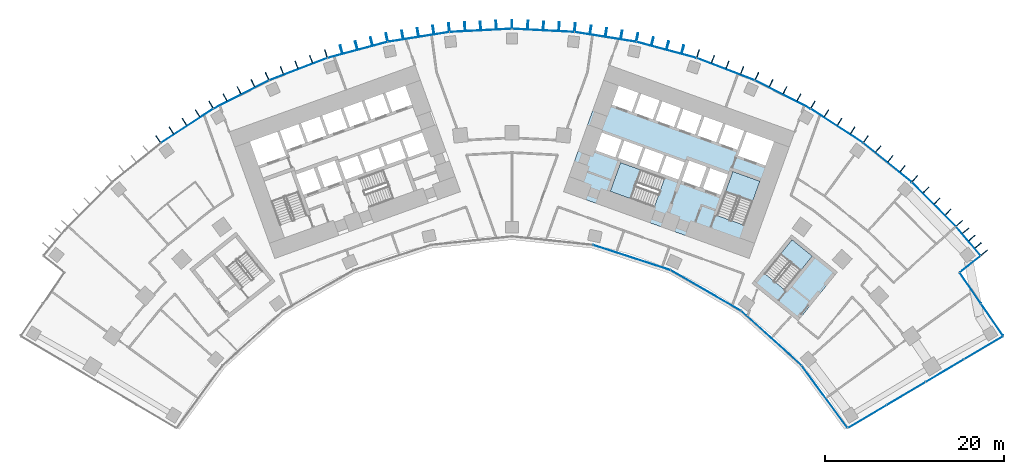
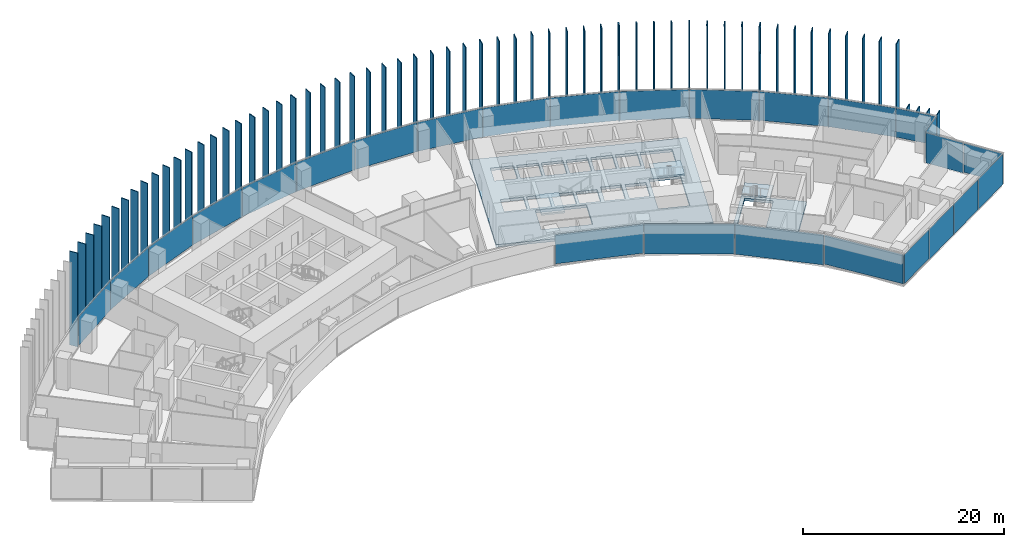
# One storey, part 16 of 24: 87 plates, 5 slabs, 8 elements without a shape of their own.
"""IFC4 building model written with IfcOpenShell, lengths in metres."""

from ifc_helpers import new_model, si_unit, direction, frame, origin, origin_2d, place, context, subcontext, project, spatial, polyline, rectangle, outline, extrude, material, layer, layer_set, type_object, element, aggregate, save


model = new_model("IFC4")

# Units and contexts
model_context = context("Model", 3, precision=1e-05, world=origin(), true_north=direction((0.0, 1.0)))
body_context = subcontext(model_context, "Body", "Model", "MODEL_VIEW")
ifc_project = project(units=[si_unit("LENGTHUNIT", "METRE"), si_unit("AREAUNIT", "SQUARE_METRE"), si_unit("VOLUMEUNIT", "CUBIC_METRE"), si_unit("PLANEANGLEUNIT", "RADIAN"), si_unit("MASSUNIT", "GRAM", prefix="KILO")], contexts=[model_context])

# Site, building, storey
site_placement = place(None, origin())
site = spatial("IfcSite", under=ifc_project, at=site_placement, CompositionType="ELEMENT")
building_placement = place(site_placement, origin())
building = spatial("IfcBuilding", under=site, at=building_placement, Name="Stone Belt Terrace Tower", CompositionType="ELEMENT")
storey_placement = place(building_placement, frame((0.0, 0.0, 41.39990234375)))
storey = spatial("IfcBuildingStorey", under=building, at=storey_placement, Name="L09", CompositionType="ELEMENT", Elevation=41.39990234375)

# Curtain wall, plates
ifc_material_1 = material(Name="Aluminium 6063-T6 anodised frame", Category="aluminium")
ifc_layer_1 = layer(ifc_material_1, 0.14990234375)
ifc_layer_set_1 = layer_set([ifc_layer_1], Name="CW-A unitised convex-face curtain wall")
curtain_wall_type_1 = type_object("IfcCurtainWallType", Name="CW-A unitised convex-face curtain wall", PredefinedType="NOTDEFINED", material=ifc_layer_set_1)
curtain_wall_1_placement = place(storey_placement, origin())
curtain_wall_1 = element("IfcCurtainWall", 1, at=curtain_wall_1_placement, inside=storey, type_object=curtain_wall_type_1, Name="CW-A convex face L09", PredefinedType="NOTDEFINED")
ifc_material_2 = material(Name="Clear double glazed unit")
ifc_layer_2 = layer(ifc_material_2, 0.031982421875)
ifc_layer_set_2 = layer_set([ifc_layer_2], Name="CW-A glass panel 32")
plate_type_1 = type_object("IfcPlateType", Name="CW-A glass panel 32", PredefinedType="CURTAIN_PANEL", material=ifc_layer_set_2)
plate_1_placement = place(storey_placement, frame((50.84423828125, 42.92626953125, 0.14013671875), z_axis=(0.0, 0.0, 1.0), x_axis=(-0.645291395384, 0.763936525533, 0.0)))
plate_1 = element("IfcPlate", 2, at=plate_1_placement, type_object=plate_type_1, Name="CW-A panel 1.1", PredefinedType="CURTAIN_PANEL", context=body_context, shape_type="SweptSolid", body=[
    extrude(rectangle(XDim=4.17919921875, YDim=0.031982421875, at=origin_2d()), origin(), (0.0, 0.0, 1.0), 3.52001953125),
])
plate_2_placement = place(storey_placement, frame((47.01123046875, 47.01123046875, 0.14013671875), z_axis=(0.0, 0.0, 1.0), x_axis=(-0.707106781187, 0.707106781187, 0.0)))
plate_2 = element("IfcPlate", 3, at=plate_2_placement, type_object=plate_type_1, Name="CW-A panel 2.1", PredefinedType="CURTAIN_PANEL", context=body_context, shape_type="SweptSolid", body=[
    extrude(rectangle(XDim=6.90087890625, YDim=0.031982421875, at=origin_2d()), origin(), (0.0, 0.0, 1.0), 3.52001953125),
])
plate_3_placement = place(storey_placement, frame((41.839599609375, 51.667724609375, 0.14013671875), z_axis=(0.0, 0.0, 1.0), x_axis=(-0.777145961457, 0.62932039105, 0.0)))
plate_3 = element("IfcPlate", 4, at=plate_3_placement, type_object=plate_type_1, Name="CW-A panel 3.1", PredefinedType="CURTAIN_PANEL", context=body_context, shape_type="SweptSolid", body=[
    extrude(rectangle(XDim=6.90087890625, YDim=0.031982421875, at=origin_2d()), origin(), (0.0, 0.0, 1.0), 3.52001953125),
])
plate_4_placement = place(storey_placement, frame((36.209716796875, 55.758056640625, 0.14013671875), z_axis=(0.0, 0.0, 1.0), x_axis=(-0.838670567945, 0.544639035015, 0.0)))
plate_4 = element("IfcPlate", 5, at=plate_4_placement, type_object=plate_type_1, Name="CW-A panel 4.1", PredefinedType="CURTAIN_PANEL", context=body_context, shape_type="SweptSolid", body=[
    extrude(rectangle(XDim=6.90087890625, YDim=0.031982421875, at=origin_2d()), origin(), (0.0, 0.0, 1.0), 3.52001953125),
])
plate_5_placement = place(storey_placement, frame((30.18310546875, 59.237548828125, 0.14013671875), z_axis=(0.0, 0.0, 1.0), x_axis=(-0.891006524188, 0.45399049974, 0.0)))
plate_5 = element("IfcPlate", 6, at=plate_5_placement, type_object=plate_type_1, Name="CW-A panel 5.1", PredefinedType="CURTAIN_PANEL", context=body_context, shape_type="SweptSolid", body=[
    extrude(rectangle(XDim=6.90087890625, YDim=0.031982421875, at=origin_2d()), origin(), (0.0, 0.0, 1.0), 3.52001953125),
])
plate_6_placement = place(storey_placement, frame((23.82568359375, 62.068115234375, 0.14013671875), z_axis=(0.0, 0.0, 1.0), x_axis=(-0.933580426497, 0.358367949545, 0.0)))
plate_6 = element("IfcPlate", 7, at=plate_6_placement, type_object=plate_type_1, Name="CW-A panel 6.1", PredefinedType="CURTAIN_PANEL", context=body_context, shape_type="SweptSolid", body=[
    extrude(rectangle(XDim=6.90087890625, YDim=0.031982421875, at=origin_2d()), origin(), (0.0, 0.0, 1.0), 3.52001953125),
])
plate_7_placement = place(storey_placement, frame((17.207275390625, 64.218505859375, 0.14013671875), z_axis=(0.0, 0.0, 1.0), x_axis=(-0.965925826289, 0.258819045103, 0.0)))
plate_7 = element("IfcPlate", 8, at=plate_7_placement, type_object=plate_type_1, Name="CW-A panel 7.1", PredefinedType="CURTAIN_PANEL", context=body_context, shape_type="SweptSolid", body=[
    extrude(rectangle(XDim=6.90087890625, YDim=0.031982421875, at=origin_2d()), origin(), (0.0, 0.0, 1.0), 3.52001953125),
])
plate_8_placement = place(storey_placement, frame((10.400390625, 65.665283203125, 0.14013671875), z_axis=(0.0, 0.0, 1.0), x_axis=(-0.987688340595, 0.15643446504, 0.0)))
plate_8 = element("IfcPlate", 9, at=plate_8_placement, type_object=plate_type_1, Name="CW-A panel 8.1", PredefinedType="CURTAIN_PANEL", context=body_context, shape_type="SweptSolid", body=[
    extrude(rectangle(XDim=6.90087890625, YDim=0.031982421875, at=origin_2d()), origin(), (0.0, 0.0, 1.0), 3.52001953125),
])
plate_9_placement = place(storey_placement, frame((3.4794921875, 66.392822265625, 0.14013671875), z_axis=(0.0, 0.0, 1.0), x_axis=(-0.998629534755, 0.052335956243, 0.0)))
plate_9 = element("IfcPlate", 10, at=plate_9_placement, type_object=plate_type_1, Name="CW-A panel 9.1", PredefinedType="CURTAIN_PANEL", context=body_context, shape_type="SweptSolid", body=[
    extrude(rectangle(XDim=6.90087890625, YDim=0.031982421875, at=origin_2d()), origin(), (0.0, 0.0, 1.0), 3.52001953125),
])
plate_10_placement = place(storey_placement, frame((-3.4794921875, 66.392822265625, 0.14013671875), z_axis=(0.0, 0.0, 1.0), x_axis=(-0.998629534755, -0.052335956243, 0.0)))
plate_10 = element("IfcPlate", 11, at=plate_10_placement, type_object=plate_type_1, Name="CW-A panel 10.1", PredefinedType="CURTAIN_PANEL", context=body_context, shape_type="SweptSolid", body=[
    extrude(rectangle(XDim=6.90087890625, YDim=0.031982421875, at=origin_2d()), origin(), (0.0, 0.0, 1.0), 3.52001953125),
])
plate_11_placement = place(storey_placement, frame((-10.400390625, 65.665283203125, 0.14013671875), z_axis=(0.0, 0.0, 1.0), x_axis=(-0.987688340595, -0.15643446504, 0.0)))
plate_11 = element("IfcPlate", 12, at=plate_11_placement, type_object=plate_type_1, Name="CW-A panel 11.1", PredefinedType="CURTAIN_PANEL", context=body_context, shape_type="SweptSolid", body=[
    extrude(rectangle(XDim=6.90087890625, YDim=0.031982421875, at=origin_2d()), origin(), (0.0, 0.0, 1.0), 3.52001953125),
])
plate_12_placement = place(storey_placement, frame((-17.207275390625, 64.218505859375, 0.14013671875), z_axis=(0.0, 0.0, 1.0), x_axis=(-0.965925826289, -0.258819045103, 0.0)))
plate_12 = element("IfcPlate", 13, at=plate_12_placement, type_object=plate_type_1, Name="CW-A panel 12.1", PredefinedType="CURTAIN_PANEL", context=body_context, shape_type="SweptSolid", body=[
    extrude(rectangle(XDim=6.90087890625, YDim=0.031982421875, at=origin_2d()), origin(), (0.0, 0.0, 1.0), 3.52001953125),
])
plate_13_placement = place(storey_placement, frame((-23.82568359375, 62.068115234375, 0.14013671875), z_axis=(0.0, 0.0, 1.0), x_axis=(-0.933580426497, -0.358367949545, 0.0)))
plate_13 = element("IfcPlate", 14, at=plate_13_placement, type_object=plate_type_1, Name="CW-A panel 13.1", PredefinedType="CURTAIN_PANEL", context=body_context, shape_type="SweptSolid", body=[
    extrude(rectangle(XDim=6.90087890625, YDim=0.031982421875, at=origin_2d()), origin(), (0.0, 0.0, 1.0), 3.52001953125),
])
plate_14_placement = place(storey_placement, frame((-30.18310546875, 59.237548828125, 0.14013671875), z_axis=(0.0, 0.0, 1.0), x_axis=(-0.891006524188, -0.45399049974, 0.0)))
plate_14 = element("IfcPlate", 15, at=plate_14_placement, type_object=plate_type_1, Name="CW-A panel 14.1", PredefinedType="CURTAIN_PANEL", context=body_context, shape_type="SweptSolid", body=[
    extrude(rectangle(XDim=6.90087890625, YDim=0.031982421875, at=origin_2d()), origin(), (0.0, 0.0, 1.0), 3.52001953125),
])
plate_15_placement = place(storey_placement, frame((-36.209716796875, 55.758056640625, 0.14013671875), z_axis=(0.0, 0.0, 1.0), x_axis=(-0.838670567945, -0.544639035015, 0.0)))
plate_15 = element("IfcPlate", 16, at=plate_15_placement, type_object=plate_type_1, Name="CW-A panel 15.1", PredefinedType="CURTAIN_PANEL", context=body_context, shape_type="SweptSolid", body=[
    extrude(rectangle(XDim=6.90087890625, YDim=0.031982421875, at=origin_2d()), origin(), (0.0, 0.0, 1.0), 3.52001953125),
])
aggregate(curtain_wall_1, [plate_1, plate_2, plate_3, plate_4, plate_5, plate_6, plate_7, plate_8, plate_9, plate_10, plate_11, plate_12, plate_13, plate_14, plate_15])

ifc_layer_3 = layer(ifc_material_1, 0.14990234375)
ifc_layer_set_3 = layer_set([ifc_layer_3], Name="CW-B unitised concave-face curtain wall")
curtain_wall_type_2 = type_object("IfcCurtainWallType", Name="CW-B unitised concave-face curtain wall", PredefinedType="NOTDEFINED", material=ifc_layer_set_3)
curtain_wall_2_placement = place(storey_placement, origin())
curtain_wall_2 = element("IfcCurtainWall", 17, at=curtain_wall_2_placement, inside=storey, type_object=curtain_wall_type_2, Name="CW-B concave face L09", PredefinedType="NOTDEFINED")
ifc_layer_4 = layer(ifc_material_2, 0.030029296875)
ifc_layer_set_4 = layer_set([ifc_layer_4], Name="CW-B glass panel 30")
plate_type_2 = type_object("IfcPlateType", Name="CW-B glass panel 30", PredefinedType="CURTAIN_PANEL", material=ifc_layer_set_4)
plate_16_placement = place(storey_placement, frame((13.345458984375, 41.072998046875, 0.1201171875), z_axis=(0.0, 0.0, 1.0), x_axis=(0.951056516295, -0.309016994375, 0.0)))
plate_16 = element("IfcPlate", 18, at=plate_16_placement, type_object=plate_type_2, Name="CW-B panel 7.1", PredefinedType="CURTAIN_PANEL", context=body_context, shape_type="SweptSolid", body=[
    extrude(rectangle(XDim=9.0126953125, YDim=0.030029296875, at=origin_2d()), origin(), (0.0, 0.0, 1.0), 3.56005859375),
])
plate_17_placement = place(storey_placement, frame((21.59326171875, 37.40087890625, 0.0), z_axis=(0.0, 0.0, 1.0), x_axis=(0.866025403784, -0.5, 0.0)))
plate_17 = element("IfcPlate", 19, at=plate_17_placement, type_object=plate_type_2, Name="CW-B panel 8.1", PredefinedType="CURTAIN_PANEL", context=body_context, shape_type="SweptSolid", body=[
    extrude(rectangle(XDim=9.0126953125, YDim=0.030029296875, at=origin_2d()), origin(), (0.0, 0.0, 1.0), 3.679931640625),
])
plate_18_placement = place(storey_placement, frame((28.897705078125, 32.09375, 0.0), z_axis=(0.0, 0.0, 1.0), x_axis=(0.743144825477, -0.669130606359, 0.0)))
plate_18 = element("IfcPlate", 20, at=plate_18_placement, type_object=plate_type_2, Name="CW-B panel 9.1", PredefinedType="CURTAIN_PANEL", context=body_context, shape_type="SweptSolid", body=[
    extrude(rectangle(XDim=9.01318359375, YDim=0.030029296875, at=origin_2d()), origin(), (0.0, 0.0, 1.0), 3.679931640625),
])
plate_19_placement = place(storey_placement, frame((34.831787109375, 25.57177734375, 0.1201171875), z_axis=(0.0, 0.0, 1.0), x_axis=(0.592159017675, -0.805821132626, 0.0)))
plate_19 = element("IfcPlate", 21, at=plate_19_placement, type_object=plate_type_2, Name="CW-B panel 10.1", PredefinedType="CURTAIN_PANEL", context=body_context, shape_type="SweptSolid", body=[
    extrude(rectangle(XDim=8.583984375, YDim=0.030029296875, at=origin_2d()), origin(), (0.0, 0.0, 1.0), 3.56005859375),
])
aggregate(curtain_wall_2, [plate_16, plate_17, plate_18, plate_19])

ifc_layer_5 = layer(ifc_material_1, 0.14990234375)
ifc_layer_set_5 = layer_set([ifc_layer_5], Name="CW-C stick curtain wall, horn ends and notches")
curtain_wall_type_3 = type_object("IfcCurtainWallType", Name="CW-C stick curtain wall, horn ends and notches", PredefinedType="NOTDEFINED", material=ifc_layer_set_5)
curtain_wall_3_placement = place(storey_placement, origin())
curtain_wall_3 = element("IfcCurtainWall", 22, at=curtain_wall_3_placement, inside=storey, type_object=curtain_wall_type_3, Name="CW-C end face L09", PredefinedType="NOTDEFINED")
ifc_layer_6 = layer(ifc_material_2, 0.028076171875)
ifc_layer_set_6 = layer_set([ifc_layer_6], Name="CW-C glass panel 28")
plate_type_3 = type_object("IfcPlateType", Name="CW-C glass panel 28", PredefinedType="CURTAIN_PANEL", material=ifc_layer_set_6)
plate_20_placement = place(storey_placement, frame((39.613037109375, 23.359130859375, 0.1201171875), z_axis=(0.0, 0.0, 1.0), x_axis=(0.860557728521, 0.509352918793, 0.0)))
plate_20 = element("IfcPlate", 23, at=plate_20_placement, type_object=plate_type_3, Name="CW-C panel 1.1", PredefinedType="CURTAIN_PANEL", context=body_context, shape_type="SweptSolid", body=[
    extrude(rectangle(XDim=4.96533203125, YDim=0.028076171875, at=origin_2d()), origin(), (0.0, 0.0, 1.0), 3.56005859375),
])
plate_21_placement = place(storey_placement, frame((43.9267578125, 25.912353515625, 0.0), z_axis=(0.0, 0.0, 1.0), x_axis=(0.860557728521, 0.509352918793, 0.0)))
plate_21 = element("IfcPlate", 24, at=plate_21_placement, type_object=plate_type_3, Name="CW-C panel 2.1", PredefinedType="CURTAIN_PANEL", context=body_context, shape_type="SweptSolid", body=[
    extrude(rectangle(XDim=4.93994140625, YDim=0.028076171875, at=origin_2d()), origin(), (0.0, 0.0, 1.0), 3.679931640625),
])
plate_22_placement = place(storey_placement, frame((48.2294921875, 28.459228515625, 0.0), z_axis=(0.0, 0.0, 1.0), x_axis=(0.860557728521, 0.509352918793, 0.0)))
plate_22 = element("IfcPlate", 25, at=plate_22_placement, type_object=plate_type_3, Name="CW-C panel 3.1", PredefinedType="CURTAIN_PANEL", context=body_context, shape_type="SweptSolid", body=[
    extrude(rectangle(XDim=4.93994140625, YDim=0.028076171875, at=origin_2d()), origin(), (0.0, 0.0, 1.0), 3.679931640625),
])
plate_23_placement = place(storey_placement, frame((52.54736328125, 31.014892578125, 0.0), z_axis=(0.0, 0.0, 1.0), x_axis=(0.860557728521, 0.509352918793, 0.0)))
plate_23 = element("IfcPlate", 26, at=plate_23_placement, type_object=plate_type_3, Name="CW-C panel 4.1", PredefinedType="CURTAIN_PANEL", context=body_context, shape_type="SweptSolid", body=[
    extrude(rectangle(XDim=4.974853515625, YDim=0.028076171875, at=origin_2d()), origin(), (0.0, 0.0, 1.0), 3.679931640625),
])
aggregate(curtain_wall_3, [plate_20, plate_21, plate_22, plate_23])

curtain_wall_4_placement = place(storey_placement, origin())
curtain_wall_4 = element("IfcCurtainWall", 27, at=curtain_wall_4_placement, inside=storey, type_object=curtain_wall_type_3, Name="CW-C notch face L09", PredefinedType="NOTDEFINED")
plate_24_placement = place(storey_placement, frame((53.501220703125, 34.141357421875, 0.1201171875), z_axis=(0.0, 0.0, 1.0), x_axis=(-0.566375967567, 0.824146991357, 0.0)))
plate_24 = element("IfcPlate", 28, at=plate_24_placement, type_object=plate_type_3, Name="CW-C panel 1.1", PredefinedType="CURTAIN_PANEL", context=body_context, shape_type="SweptSolid", body=[
    extrude(rectangle(XDim=4.268798828125, YDim=0.028076171875, at=origin_2d()), origin(), (0.0, 0.0, 1.0), 3.56005859375),
])
plate_25_placement = place(storey_placement, frame((51.091552734375, 37.647705078125, 0.0), z_axis=(0.0, 0.0, 1.0), x_axis=(-0.566375967567, 0.824146991357, 0.0)))
plate_25 = element("IfcPlate", 29, at=plate_25_placement, type_object=plate_type_3, Name="CW-C panel 2.1", PredefinedType="CURTAIN_PANEL", context=body_context, shape_type="SweptSolid", body=[
    extrude(rectangle(XDim=4.12060546875, YDim=0.028076171875, at=origin_2d()), origin(), (0.0, 0.0, 1.0), 3.679931640625),
])
aggregate(curtain_wall_4, [plate_24, plate_25])

# Curtain wall, plate
curtain_wall_5_placement = place(storey_placement, origin())
curtain_wall_5 = element("IfcCurtainWall", 30, at=curtain_wall_5_placement, inside=storey, type_object=curtain_wall_type_3, Name="CW-C notch face L09", PredefinedType="NOTDEFINED")
plate_26_placement = place(storey_placement, frame((51.061279296875, 40.3388671875, 0.1201171875), z_axis=(0.0, 0.0, 1.0), x_axis=(0.783963828584, 0.620806504051, 0.0)))
plate_26 = element("IfcPlate", 31, at=plate_26_placement, type_object=plate_type_3, Name="CW-C panel 1.1", PredefinedType="CURTAIN_PANEL", context=body_context, shape_type="SweptSolid", body=[
    extrude(rectangle(XDim=2.859375, YDim=0.028076171875, at=origin_2d()), origin(), (0.0, 0.0, 1.0), 3.56005859375),
])
aggregate(curtain_wall_5, [plate_26])

# Slabs
ifc_material_3 = material(Name="Concrete B40", Category="concrete")
ifc_layer_7 = layer(ifc_material_3, 0.320068359375)
ifc_layer_set_7 = layer_set([ifc_layer_7], Name="Core floor slab 320")
slab_type_1 = type_object("IfcSlabType", Name="Core floor slab 320", PredefinedType="FLOOR", material=ifc_layer_set_7)
slab_1_placement = place(storey_placement, frame((0.0, 0.0, -0.31982421875)))
element("IfcSlab", 32, at=slab_1_placement, inside=storey, type_object=slab_type_1, Name="Core B floor L09", PredefinedType="FLOOR", context=body_context, shape_type="SweptSolid", body=[
    extrude(outline(polyline([(26.43505859375, 40.968994140625), (31.513916015625, 55.0830078125), (10.81396484375, 62.531982421875), (5.735107421875, 48.4189453125), (26.43505859375, 40.968994140625)]), holes=[polyline([(12.10595703125, 51.652099609375), (16.998046875, 49.89208984375), (15.846923828125, 46.69189453125), (10.955078125, 48.452880859375), (12.10595703125, 51.652099609375)]), polyline([(19.239990234375, 51.68896484375), (18.5458984375, 49.760009765625), (16.52294921875, 50.488037109375), (17.217041015625, 52.4169921875), (19.239990234375, 51.68896484375)]), polyline([(16.239990234375, 50.589111328125), (14.169921875, 51.333984375), (14.864013671875, 53.262939453125), (16.93408203125, 52.51806640625), (16.239990234375, 50.589111328125)]), polyline([(14.58203125, 53.364990234375), (13.887939453125, 51.43603515625), (11.864990234375, 52.1640625), (11.847900390625, 52.116943359375), (11.801025390625, 52.134033203125), (12.511962890625, 54.110107421875), (14.58203125, 53.364990234375)]), polyline([(9.30810546875, 53.031005859375), (10.01904296875, 55.007080078125), (12.22998046875, 54.2109375), (11.51904296875, 52.235107421875), (9.30810546875, 53.031005859375)]), polyline([(16.743896484375, 58.485107421875), (18.81396484375, 57.739990234375), (18.052001953125, 55.623046875), (15.98193359375, 56.367919921875), (16.743896484375, 58.485107421875)]), polyline([(14.39111328125, 59.33203125), (16.4609375, 58.5869140625), (15.699951171875, 56.469970703125), (13.6298828125, 57.215087890625), (14.39111328125, 59.33203125)]), polyline([(11.89794921875, 60.22900390625), (14.10888671875, 59.43408203125), (13.346923828125, 57.31591796875), (11.135986328125, 58.112060546875), (11.89794921875, 60.22900390625)]), polyline([(25.85888671875, 44.68408203125), (22.847900390625, 45.76806640625), (24.60791015625, 50.659912109375), (27.618896484375, 49.575927734375), (25.85888671875, 44.68408203125)]), polyline([(21.27392578125, 48.778076171875), (22.0869140625, 51.035888671875), (24.06298828125, 50.324951171875), (23.25, 48.06689453125), (21.27392578125, 48.778076171875)]), polyline([(18.922119140625, 49.6240234375), (19.735107421875, 51.883056640625), (21.7109375, 51.1708984375), (20.89794921875, 48.9130859375), (18.922119140625, 49.6240234375)]), polyline([(29.2109375, 53.9990234375), (28.24609375, 51.31689453125), (25.18798828125, 52.41796875), (26.153076171875, 55.09912109375), (29.2109375, 53.9990234375)]), polyline([(23.801025390625, 55.946044921875), (25.87109375, 55.200927734375), (25.10888671875, 53.083984375), (23.0390625, 53.8291015625), (23.801025390625, 55.946044921875)]), polyline([(21.447998046875, 56.7919921875), (23.51806640625, 56.047119140625), (22.756103515625, 53.929931640625), (20.68603515625, 54.675048828125), (21.447998046875, 56.7919921875)]), polyline([(19.095947265625, 57.638916015625), (21.166015625, 56.89404296875), (20.404052734375, 54.777099609375), (18.333984375, 55.52197265625), (19.095947265625, 57.638916015625)])]), origin(), (0.0, 0.0, 1.0), 0.31982421875),
])
slab_2_placement = place(storey_placement, frame((0.0, 0.0, -0.31982421875)))
element("IfcSlab", 33, at=slab_2_placement, inside=storey, type_object=slab_type_1, Name="Exit stair ST3B floor L09", PredefinedType="FLOOR", context=body_context, shape_type="SweptSolid", body=[
    extrude(outline(polyline([(26.741943359375, 38.18408203125), (31.866943359375, 34.02392578125), (36.278076171875, 39.458984375), (31.154052734375, 43.618896484375), (26.741943359375, 38.18408203125)]), holes=[polyline([(30.407958984375, 37.462890625), (28.156005859375, 39.291015625), (31.2119140625, 43.055908203125), (33.464111328125, 41.22802734375), (30.407958984375, 37.462890625)])]), origin(), (0.0, 0.0, 1.0), 0.31982421875),
])

# Stair, slab
stair_type = type_object("IfcStairType", Name="Exit stair 1500", PredefinedType="HALF_TURN_STAIR", material=ifc_material_3)
stair_1_placement = place(storey_placement, origin())
stair_1 = element("IfcStair", 34, at=stair_1_placement, inside=storey, type_object=stair_type, Name="L09 Exit stair 1 core B", PredefinedType="HALF_TURN_STAIR")
ifc_layer_8 = layer(ifc_material_3, 0.199951171875)
ifc_layer_set_8 = layer_set([ifc_layer_8], Name="Stair landing 200")
slab_type_2 = type_object("IfcSlabType", Name="Stair landing 200", PredefinedType="LANDING", material=ifc_layer_set_8)
slab_3_placement = place(storey_placement, frame((0.0, 0.0, 1.7001953125)))
slab_3 = element("IfcSlab", 35, at=slab_3_placement, type_object=slab_type_2, Name="ST1B landing 1", PredefinedType="LANDING", context=body_context, shape_type="SweptSolid", body=[
    extrude(outline(polyline([(26.806396484375, 47.3173828125), (27.619384765625, 49.576171875), (24.6083984375, 50.659912109375), (23.79541015625, 48.40087890625), (26.806396484375, 47.3173828125)])), origin(), (0.0, 0.0, 1.0), 0.199951171875),
])
aggregate(stair_1, [slab_3])

stair_2_placement = place(storey_placement, origin())
stair_2 = element("IfcStair", 36, at=stair_2_placement, inside=storey, type_object=stair_type, Name="L09 Exit stair 2 core B", PredefinedType="HALF_TURN_STAIR")
slab_4_placement = place(storey_placement, frame((0.0, 0.0, 1.7001953125)))
slab_4 = element("IfcSlab", 37, at=slab_4_placement, type_object=slab_type_2, Name="ST2B landing 1", PredefinedType="LANDING", context=body_context, shape_type="SweptSolid", body=[
    extrude(outline(polyline([(14.36474609375, 50.839111328125), (12.10595703125, 51.652099609375), (10.95458984375, 48.453125), (13.213623046875, 47.64013671875), (14.36474609375, 50.839111328125)])), origin(), (0.0, 0.0, 1.0), 0.199951171875),
])
aggregate(stair_2, [slab_4])

stair_3_placement = place(storey_placement, origin())
stair_3 = element("IfcStair", 38, at=stair_3_placement, inside=storey, type_object=stair_type, Name="L09 Exit stair 3B", PredefinedType="HALF_TURN_STAIR")
slab_5_placement = place(storey_placement, frame((0.0, 0.0, 1.7001953125)))
slab_5 = element("IfcSlab", 39, at=slab_5_placement, type_object=slab_type_2, Name="ST3B landing 1", PredefinedType="LANDING", context=body_context, shape_type="SweptSolid", body=[
    extrude(outline(polyline([(32.17138671875, 39.635986328125), (33.4638671875, 41.228271484375), (31.21240234375, 43.055908203125), (29.919921875, 41.463623046875), (32.17138671875, 39.635986328125)])), origin(), (0.0, 0.0, 1.0), 0.199951171875),
])
aggregate(stair_3, [slab_5])

# Plates
ifc_material_4 = material(Name="Terracotta coloured glazed ceramic", Category="masonry")
ifc_layer_9 = layer(ifc_material_4, 0.10009765625)
ifc_layer_set_9 = layer_set([ifc_layer_9], Name="Terracotta fin 100 x 900")
plate_type_4 = type_object("IfcPlateType", Name="Terracotta fin 100 x 900", PredefinedType="SHEET", material=ifc_layer_set_9)
for number, where, z_axis, x_axis, name in (
    (40, (52.641845703125, 41.611572265625, 0.0), (0.0, 0.0, 1.0), (0.763936525533, 0.645291395384, 0.0), "FIN L09 1.1"),
    (41, (51.9501953125, 42.430419921875, 0.0), (0.0, 0.0, 1.0), (0.763936525533, 0.645291395384, 0.0), "FIN L09 1.2"),
    (42, (51.2587890625, 43.249267578125, 0.0), (0.0, 0.0, 1.0), (0.763936525533, 0.645291395384, 0.0), "FIN L09 1.3"),
    (43, (50.567138671875, 44.068115234375, 0.0), (0.0, 0.0, 1.0), (0.763936525533, 0.645291395384, 0.0), "FIN L09 1.4"),
):
    element("IfcPlate", number, at=place(storey_placement, frame(where, z_axis=z_axis, x_axis=x_axis)), inside=storey, type_object=plate_type_4, Name=name, PredefinedType="SHEET", context=body_context, shape_type="SweptSolid", body=[
        extrude(rectangle(XDim=0.89990234375, YDim=0.10009765625, at=origin_2d()), origin(), (0.0, 0.0, 1.0), 3.800048828125),
    ])
for number, where, z_axis, x_axis, name in (
    (44, (49.86083984375, 44.9033203125, 0.000244140625), (0.0, 0.0, 1.0), (0.73617076011, 0.676795842155, 0.0), "FIN L09 2.1"),
    (45, (48.61376953125, 46.15087890625, 0.000244140625), (0.0, 0.0, 1.0), (0.707106781187, 0.707106781187, 0.0), "FIN L09 2.2"),
    (46, (47.382080078125, 47.3828125, 0.000244140625), (0.0, 0.0, 1.0), (0.707106781187, 0.707106781187, 0.0), "FIN L09 2.3"),
    (47, (46.150390625, 48.614501953125, 0.000244140625), (0.0, 0.0, 1.0), (0.707106781187, 0.707106781187, 0.0), "FIN L09 2.4"),
    (48, (44.898681640625, 49.864990234375, 0.000244140625), (0.0, 0.0, 1.0), (0.669130606359, 0.743144825477, 0.0), "FIN L09 3.1"),
    (49, (43.52392578125, 50.979248046875, 0.000244140625), (0.0, 0.0, 1.0), (0.62932039105, 0.777145961457, 0.0), "FIN L09 3.2"),
    (50, (42.170166015625, 52.07568359375, 0.000244140625), (0.0, 0.0, 1.0), (0.62932039105, 0.777145961457, 0.0), "FIN L09 3.3"),
    (51, (40.816162109375, 53.172119140625, 0.000244140625), (0.0, 0.0, 1.0), (0.62932039105, 0.777145961457, 0.0), "FIN L09 3.4"),
    (52, (39.4404296875, 54.28515625, 0.000244140625), (0.0, 0.0, 1.0), (0.587785252292, 0.809016994375, 0.0), "FIN L09 4.1"),
    (53, (37.956787109375, 55.24951171875, 0.000244140625), (0.0, 0.0, 1.0), (0.544639035015, 0.838670567945, 0.0), "FIN L09 4.2"),
    (54, (36.49560546875, 56.1982421875, 0.000244140625), (0.0, 0.0, 1.0), (0.544639035015, 0.838670567945, 0.0), "FIN L09 4.3"),
    (55, (35.03466796875, 57.147216796875, 0.000244140625), (0.0, 0.0, 1.0), (0.544639035015, 0.838670567945, 0.0), "FIN L09 4.4"),
    (56, (33.550048828125, 58.1103515625, 0.000244140625), (0.0, 0.0, 1.0), (0.5, 0.866025403784, 0.0), "FIN L09 5.1"),
    (57, (31.9736328125, 58.914306640625, 0.000244140625), (0.0, 0.0, 1.0), (0.45399049974, 0.891006524188, 0.0), "FIN L09 5.2"),
    (58, (30.42138671875, 59.705322265625, 0.000244140625), (0.0, 0.0, 1.0), (0.45399049974, 0.891006524188, 0.0), "FIN L09 5.3"),
    (59, (28.869140625, 60.496337890625, 0.000244140625), (0.0, 0.0, 1.0), (0.45399049974, 0.891006524188, 0.0), "FIN L09 5.4"),
    (60, (27.2919921875, 61.299072265625, 0.000244140625), (0.0, 0.0, 1.0), (0.406736643076, 0.913545457643, 0.0), "FIN L09 6.1"),
    (61, (25.64013671875, 61.933837890625, 0.000244140625), (0.0, 0.0, 1.0), (0.358367949545, 0.933580426497, 0.0), "FIN L09 6.2"),
    (62, (24.013916015625, 62.55810546875, 0.000244140625), (0.0, 0.0, 1.0), (0.358367949545, 0.933580426497, 0.0), "FIN L09 6.3"),
    (63, (22.387451171875, 63.182373046875, 0.000244140625), (0.0, 0.0, 1.0), (0.358367949545, 0.933580426497, 0.0), "FIN L09 6.4"),
    (64, (20.735107421875, 63.81591796875, 0.000244140625), (0.0, 0.0, 1.0), (0.309016994375, 0.951056516295, 0.0), "FIN L09 7.1"),
    (65, (19.02587890625, 64.274658203125, 0.000244140625), (0.0, 0.0, 1.0), (0.258819045103, 0.965925826289, 0.0), "FIN L09 7.2"),
    (66, (17.34326171875, 64.7255859375, 0.000244140625), (0.0, 0.0, 1.0), (0.258819045103, 0.965925826289, 0.0), "FIN L09 7.3"),
    (67, (15.660400390625, 65.176513671875, 0.000244140625), (0.0, 0.0, 1.0), (0.258819045103, 0.965925826289, 0.0), "FIN L09 7.4"),
    (68, (13.950927734375, 65.6337890625, 0.000244140625), (0.0, 0.0, 1.0), (0.207911690818, 0.978147600734, 0.0), "FIN L09 8.1"),
    (69, (12.203125, 65.911376953125, 0.000244140625), (0.0, 0.0, 1.0), (0.15643446504, 0.987688340595, 0.0), "FIN L09 8.2"),
    (70, (10.482421875, 66.183837890625, 0.000244140625), (0.0, 0.0, 1.0), (0.15643446504, 0.987688340595, 0.0), "FIN L09 8.3"),
    (71, (8.76171875, 66.456298828125, 0.000244140625), (0.0, 0.0, 1.0), (0.15643446504, 0.987688340595, 0.0), "FIN L09 8.4"),
    (72, (7.013916015625, 66.732421875, 0.000244140625), (0.0, 0.0, 1.0), (0.104528463268, 0.994521895368, 0.0), "FIN L09 9.1"),
    (73, (5.246826171875, 66.825927734375, 0.000244140625), (0.0, 0.0, 1.0), (0.052335956243, 0.998629534755, 0.0), "FIN L09 9.2"),
    (74, (3.507080078125, 66.9169921875, 0.000244140625), (0.0, 0.0, 1.0), (0.052335956243, 0.998629534755, 0.0), "FIN L09 9.3"),
    (75, (1.767333984375, 67.00830078125, 0.000244140625), (0.0, 0.0, 1.0), (0.052335956243, 0.998629534755, 0.0), "FIN L09 9.4"),
    (76, (0.0, 67.10009765625, 0.000244140625), (0.0, 0.0, 1.0), (0.0, 1.0, 0.0), "FIN L09 10.1"),
    (77, (-1.767333984375, 67.00830078125, 0.000244140625), (0.0, 0.0, 1.0), (-0.052335956243, 0.998629534755, 0.0), "FIN L09 10.2"),
    (78, (-3.507080078125, 66.9169921875, 0.000244140625), (0.0, 0.0, 1.0), (-0.052335956243, 0.998629534755, 0.0), "FIN L09 10.3"),
    (79, (-5.246826171875, 66.825927734375, 0.000244140625), (0.0, 0.0, 1.0), (-0.052335956243, 0.998629534755, 0.0), "FIN L09 10.4"),
    (80, (-7.013916015625, 66.732421875, 0.000244140625), (0.0, 0.0, 1.0), (-0.104528463268, 0.994521895368, 0.0), "FIN L09 11.1"),
    (81, (-8.76171875, 66.456298828125, 0.000244140625), (0.0, 0.0, 1.0), (-0.15643446504, 0.987688340595, 0.0), "FIN L09 11.2"),
    (82, (-10.482421875, 66.183837890625, 0.000244140625), (0.0, 0.0, 1.0), (-0.15643446504, 0.987688340595, 0.0), "FIN L09 11.3"),
    (83, (-12.203125, 65.911376953125, 0.000244140625), (0.0, 0.0, 1.0), (-0.15643446504, 0.987688340595, 0.0), "FIN L09 11.4"),
    (84, (-13.950927734375, 65.6337890625, 0.000244140625), (0.0, 0.0, 1.0), (-0.207911690818, 0.978147600734, 0.0), "FIN L09 12.1"),
    (85, (-15.660400390625, 65.176513671875, 0.000244140625), (0.0, 0.0, 1.0), (-0.258819045103, 0.965925826289, 0.0), "FIN L09 12.2"),
    (86, (-17.34326171875, 64.7255859375, 0.000244140625), (0.0, 0.0, 1.0), (-0.258819045103, 0.965925826289, 0.0), "FIN L09 12.3"),
    (87, (-19.02587890625, 64.274658203125, 0.000244140625), (0.0, 0.0, 1.0), (-0.258819045103, 0.965925826289, 0.0), "FIN L09 12.4"),
    (88, (-20.735107421875, 63.81591796875, 0.000244140625), (0.0, 0.0, 1.0), (-0.309016994375, 0.951056516295, 0.0), "FIN L09 13.1"),
    (89, (-22.387451171875, 63.182373046875, 0.000244140625), (0.0, 0.0, 1.0), (-0.358367949545, 0.933580426497, 0.0), "FIN L09 13.2"),
    (90, (-24.013916015625, 62.55810546875, 0.000244140625), (0.0, 0.0, 1.0), (-0.358367949545, 0.933580426497, 0.0), "FIN L09 13.3"),
    (91, (-25.64013671875, 61.933837890625, 0.000244140625), (0.0, 0.0, 1.0), (-0.358367949545, 0.933580426497, 0.0), "FIN L09 13.4"),
    (92, (-27.2919921875, 61.299072265625, 0.000244140625), (0.0, 0.0, 1.0), (-0.406736643076, 0.913545457643, 0.0), "FIN L09 14.1"),
    (93, (-28.869140625, 60.496337890625, 0.000244140625), (0.0, 0.0, 1.0), (-0.45399049974, 0.891006524188, 0.0), "FIN L09 14.2"),
    (94, (-30.42138671875, 59.705322265625, 0.000244140625), (0.0, 0.0, 1.0), (-0.45399049974, 0.891006524188, 0.0), "FIN L09 14.3"),
    (95, (-31.9736328125, 58.914306640625, 0.000244140625), (0.0, 0.0, 1.0), (-0.45399049974, 0.891006524188, 0.0), "FIN L09 14.4"),
    (96, (-33.550048828125, 58.1103515625, 0.000244140625), (0.0, 0.0, 1.0), (-0.5, 0.866025403784, 0.0), "FIN L09 15.1"),
    (97, (-35.03466796875, 57.147216796875, 0.000244140625), (0.0, 0.0, 1.0), (-0.544639035015, 0.838670567945, 0.0), "FIN L09 15.2"),
    (98, (-36.49560546875, 56.1982421875, 0.000244140625), (0.0, 0.0, 1.0), (-0.544639035015, 0.838670567945, 0.0), "FIN L09 15.3"),
    (99, (-37.956787109375, 55.24951171875, 0.000244140625), (0.0, 0.0, 1.0), (-0.544639035015, 0.838670567945, 0.0), "FIN L09 15.4"),
    (100, (-39.4404296875, 54.28515625, 0.000244140625), (0.0, 0.0, 1.0), (-0.587785252292, 0.809016994375, 0.0), "FIN L09 16.1"),
):
    element("IfcPlate", number, at=place(storey_placement, frame(where, z_axis=z_axis, x_axis=x_axis)), inside=storey, type_object=plate_type_4, Name=name, PredefinedType="SHEET", context=body_context, shape_type="SweptSolid", body=[
        extrude(rectangle(XDim=0.89990234375, YDim=0.10009765625, at=origin_2d()), origin(), (0.0, 0.0, 1.0), 11.39990234375),
    ])

save(model, "model.ifc")
